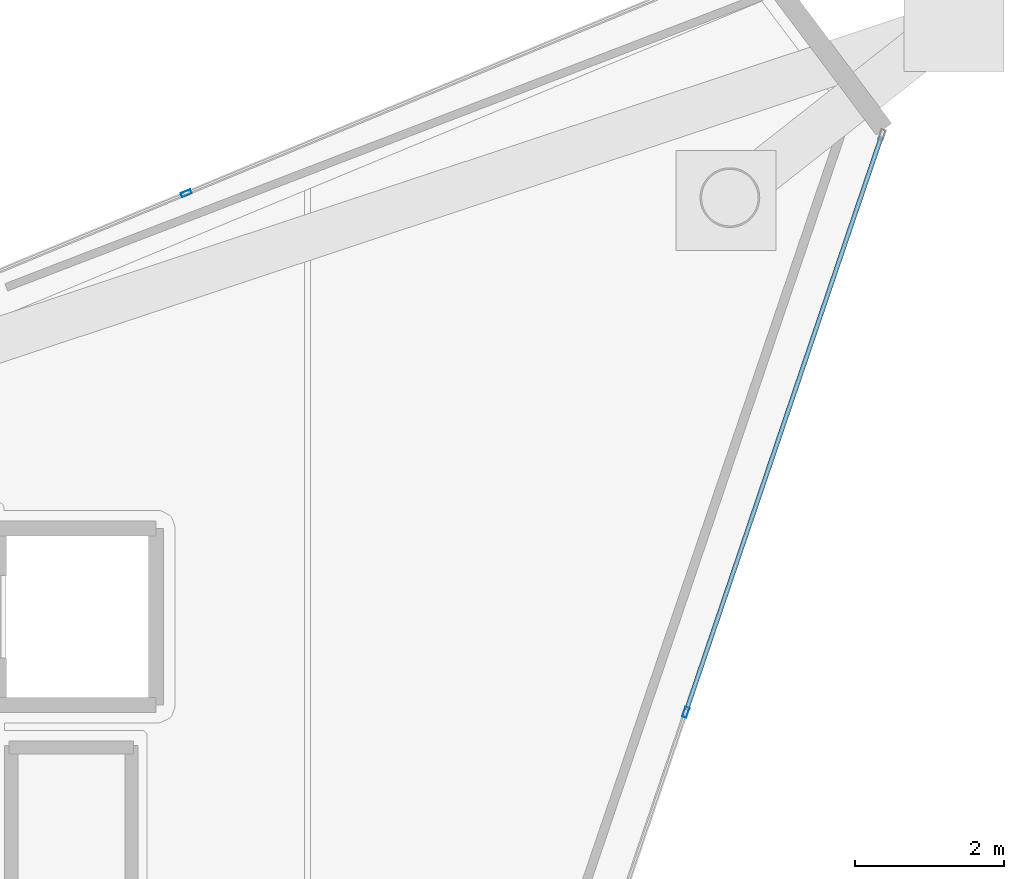
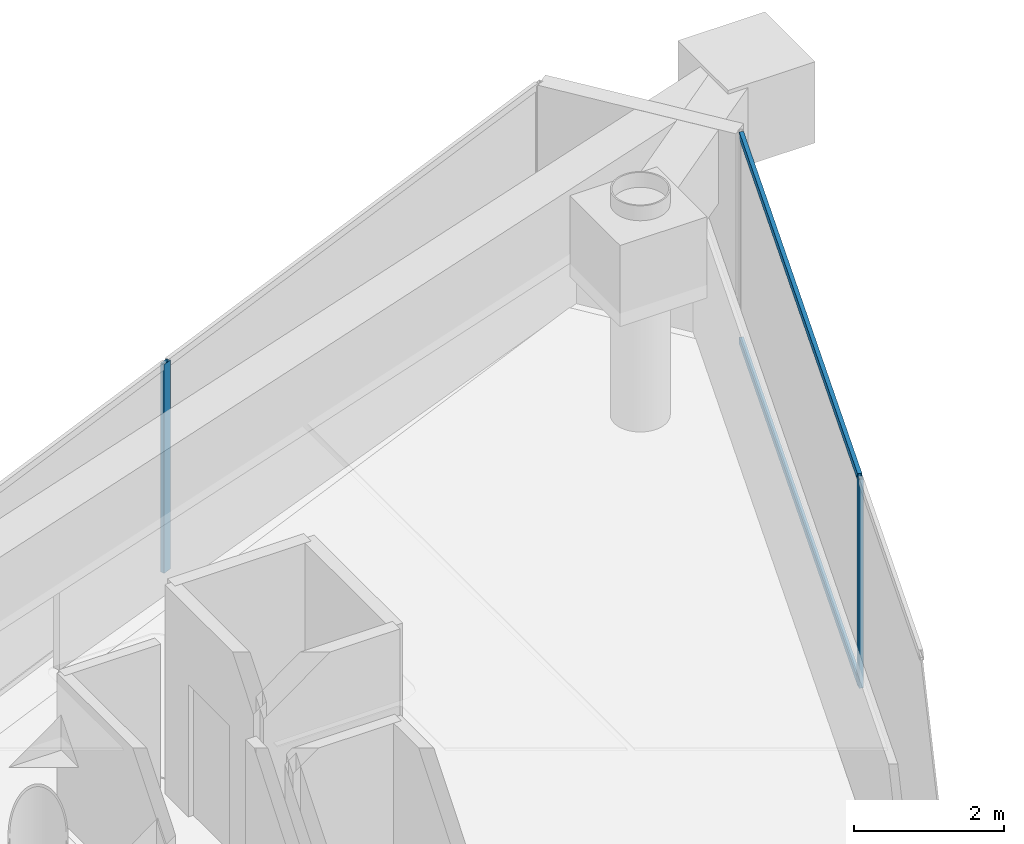
# One storey, part 11 of 18: 4 members, 2 elements without a shape of their own.
"""IFC4 building model written with IfcOpenShell, lengths in metres."""

import ifcopenshell
import ifcopenshell.guid

model = None  # the IFC model being written
_history = None  # IfcOwnerHistory: only IFC2X3 demands one
_inside = {}  # id of a spatial element -> (the spatial element, [elements in it])
_under = {}  # id of a project, library or spatial element -> (it, [spatial elements below it])
_declared = {}  # id of a project -> (the project, [libraries it declares])
_typed = {}  # id of a type object -> (the type object, [elements of that type])
_made_of = {}  # id of a material, layer set ... -> (it, [elements and type objects made of it])


def new_model(schema):
    """Start an empty IFC model of exactly this schema.

    Asked for "IFC4X3", IfcOpenShell would pick the latest addendum, in which some entities
    have other attributes; the version numbers below select the first issue.
    IFC2X3 requires an IfcOwnerHistory on every rooted entity: one is made here for all.
    """
    global model, _history
    if schema == "IFC4X3":
        model = ifcopenshell.file(schema_version=(4, 3, 0, 0))
    else:
        model = ifcopenshell.file(schema=schema)
    _inside.clear()
    _under.clear()
    _declared.clear()
    _typed.clear()
    _made_of.clear()
    _history = None
    if model.schema == "IFC2X3":
        org = make("IfcOrganization", Name="unknown")
        user = make(
            "IfcPersonAndOrganization",
            ThePerson=make("IfcPerson", FamilyName="unknown"),
            TheOrganization=org,
        )
        app = make(
            "IfcApplication",
            ApplicationDeveloper=org,
            Version="unknown",
            ApplicationFullName="unknown",
            ApplicationIdentifier="unknown",
        )
        _history = make(
            "IfcOwnerHistory",
            OwningUser=user,
            OwningApplication=app,
            ChangeAction="ADDED",
            CreationDate=0,
        )
    return model


def make(cls, **values):
    """One entity of the class cls with the attributes given. An attribute that is None is left unset."""
    return model.create_entity(
        cls, **{name: value for name, value in values.items() if value is not None}
    )


def rooted(cls, **values):
    """An entity with a GlobalId (a new one), such as an element, a storey or a relation."""
    return make(cls, GlobalId=ifcopenshell.guid.new(), OwnerHistory=_history, **values)


def si_unit(unit_type, name, prefix=None):
    """IfcSIUnit, for example si_unit("LENGTHUNIT", "METRE", prefix="MILLI")."""
    return make("IfcSIUnit", UnitType=unit_type, Prefix=prefix, Name=name)


def assignment(units):
    """IfcUnitAssignment: the units of a project."""
    return None if units is None else make("IfcUnitAssignment", Units=units)


def point(xyz):
    """IfcCartesianPoint."""
    return None if xyz is None else make("IfcCartesianPoint", Coordinates=xyz)


def direction(xyz):
    """IfcDirection."""
    return None if xyz is None else make("IfcDirection", DirectionRatios=xyz)


def frame(location, z_axis=None, x_axis=None):
    """IfcAxis2Placement3D, a coordinate frame: its origin and axes. An axis left out is left unset."""
    return make(
        "IfcAxis2Placement3D",
        Location=point(location),
        Axis=direction(z_axis),
        RefDirection=direction(x_axis),
    )


def frame_2d(location, x_axis=None):
    """IfcAxis2Placement2D, a coordinate frame in the plane: its origin and x axis."""
    return make(
        "IfcAxis2Placement2D", Location=point(location), RefDirection=direction(x_axis)
    )


def origin():
    """The frame at (0, 0, 0) with its axes left unset."""
    return frame((0.0, 0.0, 0.0))


def origin_2d():
    """The frame at (0, 0) in the plane with its x axis left unset."""
    return frame_2d((0.0, 0.0))


def place(relative_to, where):
    """IfcLocalPlacement: puts the frame where relative to a parent placement (None: the world)."""
    return make(
        "IfcLocalPlacement", PlacementRelTo=relative_to, RelativePlacement=where
    )


def context(
    kind, dimensions, precision=None, world=None, true_north=None, identifier=None
):
    """IfcGeometricRepresentationContext, for example the 3D "Model" context."""
    return make(
        "IfcGeometricRepresentationContext",
        ContextIdentifier=identifier,
        ContextType=kind,
        CoordinateSpaceDimension=dimensions,
        Precision=precision,
        WorldCoordinateSystem=world,
        TrueNorth=true_north,
    )


def subcontext(parent, identifier, kind, view, scale=None):
    """IfcGeometricRepresentationSubContext, for example "Body" below "Model"."""
    return make(
        "IfcGeometricRepresentationSubContext",
        ContextIdentifier=identifier,
        ContextType=kind,
        ParentContext=parent,
        TargetScale=scale,
        TargetView=view,
    )


def project(units=None, contexts=None):
    """IfcProject with its units and contexts."""
    return rooted(
        "IfcProject",
        Name="project",
        RepresentationContexts=contexts,
        UnitsInContext=assignment(units),
    )


def spatial(cls, under=None, at=None, **own):
    """A site, building, storey or space (cls), placed at a placement, below another one or the project."""
    s = rooted(cls, ObjectPlacement=at, **own)
    if under is not None:
        _under.setdefault(under.id(), (under, []))[1].append(s)
    return s


def profile(cls, at=None, kind="AREA", **sizes):
    """A parametric profile (cls). Its sizes go by their IFC names, for example OverallWidth=200.0."""
    return make(cls, ProfileType=kind, Position=at, **sizes)


def hollow_rectangle(**sizes):
    """IfcRectangleHollowProfileDef."""
    return profile("IfcRectangleHollowProfileDef", **sizes)


def extrude(swept, where, along, depth):
    """IfcExtrudedAreaSolid: the profile swept, set in the frame where, extruded along a direction by depth."""
    return make(
        "IfcExtrudedAreaSolid",
        SweptArea=swept,
        Position=where,
        ExtrudedDirection=direction(along),
        Depth=depth,
    )


def shape(context_of_items, identifier, shape_type, items):
    """IfcShapeRepresentation: the items that make up one representation, for example the "Body"."""
    return make(
        "IfcShapeRepresentation",
        ContextOfItems=context_of_items,
        RepresentationIdentifier=identifier,
        RepresentationType=shape_type,
        Items=items,
    )


def material(Name=None, Category=None):
    """IfcMaterial."""
    return make("IfcMaterial", Name=Name, Category=Category)


def layer(
    of_material, thickness, ventilated=None, Name=None, Category=None, Priority=None
):
    """IfcMaterialLayer: one layer of a wall or slab, of a material (None: an air gap)."""
    return make(
        "IfcMaterialLayer",
        Material=of_material,
        LayerThickness=thickness,
        IsVentilated=ventilated,
        Name=Name,
        Category=Category,
        Priority=Priority,
    )


def layer_set(layers, Name=None):
    """IfcMaterialLayerSet."""
    return make("IfcMaterialLayerSet", MaterialLayers=layers, LayerSetName=Name)


def material_profile(
    of_material, cross_section, Name=None, Category=None, Priority=None
):
    """IfcMaterialProfile: a cross section and its material."""
    return make(
        "IfcMaterialProfile",
        Name=Name,
        Material=of_material,
        Profile=cross_section,
        Priority=Priority,
        Category=Category,
    )


def profile_set(profiles, Name=None, composite=None):
    """IfcMaterialProfileSet."""
    return make(
        "IfcMaterialProfileSet",
        Name=Name,
        MaterialProfiles=profiles,
        CompositeProfile=composite,
    )


def made_of(thing, what):
    """Note that an element or type object is made of a material, layer set ...; save() writes the relation."""
    if what is not None:
        _made_of.setdefault(what.id(), (what, []))[1].append(thing)
    return thing


def type_object(cls, material=None, **own):
    """A type object (cls), such as IfcWallType, which elements share."""
    return made_of(rooted(cls, **own), material)


def element(
    cls,
    number,
    at=None,
    inside=None,
    cuts=None,
    type_object=None,
    material=None,
    context=None,
    identifier="Body",
    shape_type=None,
    held_by="IfcProductDefinitionShape",
    body=None,
    shapes=None,
    **own,
):
    """One element of the class cls, such as IfcWall. Its Tag is "e" and its number.

    at: its placement. inside: the storey or other place that contains it. cuts: it is an
    opening in that element (IfcRelVoidsElement). A single representation is given by context,
    identifier, shape_type and body (its items); several are given by shapes. held_by: the class
    of the entity that holds the representations. save() writes the other relations.
    """
    e = rooted(cls, Tag="e%d" % number, ObjectPlacement=at, **own)
    if body is not None:
        shapes = [shape(context, identifier, shape_type, body)]
    if shapes is not None:
        e.Representation = make(held_by, Representations=shapes)
    if inside is not None:
        _inside.setdefault(inside.id(), (inside, []))[1].append(e)
    if cuts is not None:
        rooted(
            "IfcRelVoidsElement", RelatingBuildingElement=cuts, RelatedOpeningElement=e
        )
    if type_object is not None:
        _typed.setdefault(type_object.id(), (type_object, []))[1].append(e)
    return made_of(e, material)


def aggregate(whole, parts):
    """IfcRelAggregates: a whole, such as a stair, and the parts it consists of."""
    return rooted("IfcRelAggregates", RelatingObject=whole, RelatedObjects=parts)


def save(model, path):
    """Write the relations noted so far, then the file.

    IfcRelAggregates (storeys below a building ...), IfcRelContainedInSpatialStructure (elements
    in a storey), IfcRelDefinesByType, IfcRelAssociatesMaterial and IfcRelDeclares: one each for
    every whole, place, type object, material and project.
    """
    for whole, parts in _under.values():
        aggregate(whole, parts)
    for where, things in _inside.values():
        rooted(
            "IfcRelContainedInSpatialStructure",
            RelatedElements=things,
            RelatingStructure=where,
        )
    for kind, things in _typed.values():
        rooted("IfcRelDefinesByType", RelatedObjects=things, RelatingType=kind)
    for what, things in _made_of.values():
        rooted("IfcRelAssociatesMaterial", RelatedObjects=things, RelatingMaterial=what)
    for by, libraries in _declared.values():
        rooted("IfcRelDeclares", RelatingContext=by, RelatedDefinitions=libraries)
    model.write(path)


model = new_model("IFC4")

# Units and contexts
model_context = context("Model", 3, precision=1e-05, world=origin(), true_north=direction((0.0, 1.0)))
body_context = subcontext(model_context, "Body", "Model", "MODEL_VIEW")
ifc_project = project(units=[si_unit("LENGTHUNIT", "METRE"), si_unit("AREAUNIT", "SQUARE_METRE"), si_unit("VOLUMEUNIT", "CUBIC_METRE"), si_unit("PLANEANGLEUNIT", "RADIAN"), si_unit("MASSUNIT", "GRAM", prefix="KILO")], contexts=[model_context])

# Site, building, storey
site_placement = place(None, origin())
site = spatial("IfcSite", under=ifc_project, at=site_placement, CompositionType="ELEMENT")
building_placement = place(site_placement, origin())
building = spatial("IfcBuilding", under=site, at=building_placement, Name="Qianvela Tower", CompositionType="ELEMENT")
storey_placement = place(building_placement, frame((0.0, 0.0, 348.10009765625)))
storey = spatial("IfcBuildingStorey", under=building, at=storey_placement, Name="L90", CompositionType="ELEMENT", Elevation=348.10009765625)

# Curtain wall, member
ifc_material_1 = material(Name="Anodised Architectural Aluminium and Low-E Glass", Category="aluminium")
ifc_layer = layer(ifc_material_1, 0.14990234375)
ifc_layer_set = layer_set([ifc_layer], Name="Anodised Architectural Aluminium and Low-E Glass")
curtain_wall_type = type_object("IfcCurtainWallType", Name="CW-COLIV-Z78", PredefinedType="USERDEFINED", material=ifc_layer_set)
curtain_wall_1_placement = place(storey_placement, origin())
curtain_wall_1 = element("IfcCurtainWall", 1, at=curtain_wall_1_placement, inside=storey, type_object=curtain_wall_type, Name="L90 CW-COLIV-Z78 Curtain Wall 02A", ObjectType="CURTAIN_WALL_SYSTEM", PredefinedType="USERDEFINED")
ifc_material_2 = material(Name="Anodised Architectural Aluminium 6063-T6", Category="aluminium")
ifc_material_profile_1 = material_profile(ifc_material_2, hollow_rectangle(XDim=0.06005859375, YDim=0.139892578125, WallThickness=0.00439453125, at=origin_2d()), Name="ALU-MULL-60x140")
ifc_profile_set_1 = profile_set([ifc_material_profile_1], Name="Anodised Architectural Aluminium 6063-T6")
member_type_1 = type_object("IfcMemberType", Name="CW-COLIV-Z78-MULL", PredefinedType="MULLION", material=ifc_profile_set_1)
member_1_placement = place(storey_placement, frame((43.9521484375, 39.766357421875, 0.0), z_axis=(0.0, 0.0, 1.0), x_axis=(0.383114126271, -0.923701015617, 0.0)))
member_1 = element("IfcMember", 2, at=member_1_placement, type_object=member_type_1, Name="CW-6 mullion 2", PredefinedType="MULLION", context=body_context, shape_type="SweptSolid", body=[
    extrude(hollow_rectangle(XDim=0.06005859375, YDim=0.139892578125, WallThickness=0.00439453125, at=origin_2d()), origin(), (0.0, 0.0, 1.0), 3.39990234375),
])
aggregate(curtain_wall_1, [member_1])

# Curtain wall, members
curtain_wall_2_placement = place(storey_placement, origin())
curtain_wall_2 = element("IfcCurtainWall", 3, at=curtain_wall_2_placement, inside=storey, type_object=curtain_wall_type, Name="L90 CW-COLIV-Z78 Curtain Wall 06C", ObjectType="CURTAIN_WALL_SYSTEM", PredefinedType="USERDEFINED")
member_2_placement = place(storey_placement, frame((50.63720703125, 32.822265625, 0.0), z_axis=(0.0, 0.0, 1.0), x_axis=(-0.946834992348, 0.321719594159, 0.0)))
member_2 = element("IfcMember", 4, at=member_2_placement, type_object=member_type_1, Name="CW-6 mullion 2", PredefinedType="MULLION", context=body_context, shape_type="SweptSolid", body=[
    extrude(hollow_rectangle(XDim=0.06005859375, YDim=0.139892578125, WallThickness=0.00439453125, at=origin_2d()), origin(), (0.0, 0.0, 1.0), 3.39990234375),
])
ifc_material_3 = material(Name="Anodised Architectural Aluminium 6063-T6", Category="aluminium")
ifc_material_profile_2 = material_profile(ifc_material_3, hollow_rectangle(XDim=0.06005859375, YDim=0.114990234375, WallThickness=0.00390625, at=origin_2d()), Name="ALU-TRAN-60x115")
ifc_profile_set_2 = profile_set([ifc_material_profile_2], Name="Anodised Architectural Aluminium 6063-T6")
member_type_2 = type_object("IfcMemberType", Name="CW-COLIV-Z78-TRAN", PredefinedType="USERDEFINED", material=ifc_profile_set_2)
member_3_placement = place(storey_placement, frame((50.64697265625, 32.8505859375, 0.02978515625), z_axis=(0.321711953411, 0.946837588519, 0.0), x_axis=(-0.946837588519, 0.321711953411, 0.0)))
member_3 = element("IfcMember", 5, at=member_3_placement, type_object=member_type_2, Name="CW-6 transom 2.1", ObjectType="TRANSOM", PredefinedType="USERDEFINED", context=body_context, shape_type="SweptSolid", body=[
    extrude(hollow_rectangle(XDim=0.06005859375, YDim=0.114990234375, WallThickness=0.00390625, at=origin_2d()), origin(), (0.0, 0.0, 1.0), 8.098876953125),
])
member_4_placement = place(storey_placement, frame((50.64697265625, 32.8505859375, 3.369873046875), z_axis=(0.321711953411, 0.946837588519, 0.0), x_axis=(-0.946837588519, 0.321711953411, 0.0)))
member_4 = element("IfcMember", 6, at=member_4_placement, type_object=member_type_2, Name="CW-6 transom 2.2", ObjectType="TRANSOM", PredefinedType="USERDEFINED", context=body_context, shape_type="SweptSolid", body=[
    extrude(hollow_rectangle(XDim=0.06005859375, YDim=0.114990234375, WallThickness=0.00390625, at=origin_2d()), origin(), (0.0, 0.0, 1.0), 8.098876953125),
])
aggregate(curtain_wall_2, [member_2, member_3, member_4])

save(model, "model.ifc")
